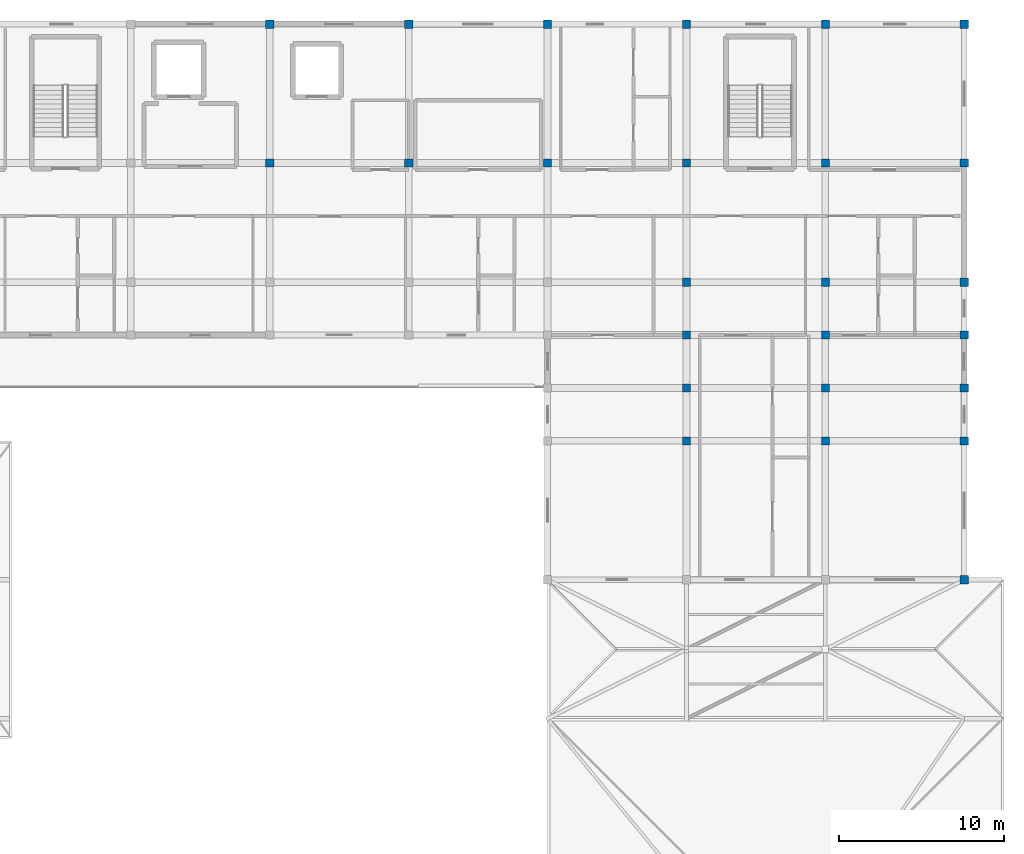
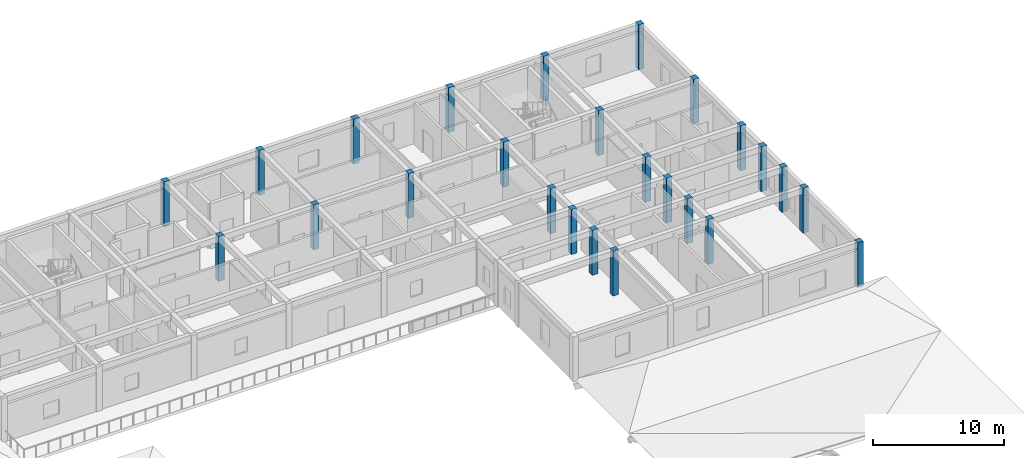
# One storey, part 2 of 26: 25 columns.
"""IFC4 building model written with IfcOpenShell, lengths in metres."""

from ifc_helpers import new_model, si_unit, direction, frame, origin, origin_2d, place, context, subcontext, project, spatial, rectangle, extrude, material, material_profile, profile_set, type_object, element, save


model = new_model("IFC4")

# Units and contexts
model_context = context("Model", 3, precision=1e-05, world=origin(), true_north=direction((0.0, 1.0)))
body_context = subcontext(model_context, "Body", "Model", "MODEL_VIEW")
ifc_project = project(units=[si_unit("LENGTHUNIT", "METRE"), si_unit("AREAUNIT", "SQUARE_METRE"), si_unit("VOLUMEUNIT", "CUBIC_METRE"), si_unit("PLANEANGLEUNIT", "RADIAN"), si_unit("MASSUNIT", "GRAM", prefix="KILO")], contexts=[model_context])

# Site, building, storey
site_placement = place(None, origin())
site = spatial("IfcSite", under=ifc_project, at=site_placement, CompositionType="ELEMENT")
building_placement = place(site_placement, origin())
building = spatial("IfcBuilding", under=site, at=building_placement, Name="Varncliffe General Hospital", CompositionType="ELEMENT")
storey_placement = place(building_placement, frame((0.0, 0.0, 28.800048828125)))
storey = spatial("IfcBuildingStorey", under=building, at=storey_placement, Name="L06", CompositionType="ELEMENT", Elevation=28.800048828125)

# Columns
ifc_material = material(Name="Concrete C40/50 (CSA A23.1 40 MPa)", Category="concrete")
ifc_material_profile_1 = material_profile(ifc_material, rectangle(XDim=0.5, YDim=0.5, at=origin_2d()), Name="RC 500x500")
ifc_profile_set_1 = profile_set([ifc_material_profile_1], Name="Concrete C40/50 (CSA A23.1 40 MPa)")
column_type_1 = type_object("IfcColumnType", Name="Column C65 (Ext RC 500x500)", PredefinedType="COLUMN", material=ifc_profile_set_1)
for number, where, z_axis, x_axis, name in (
    (1, (134.39990234375, 124.800048828125, 0.0), (0.0, 0.0, 1.0), (1.0, 0.0, 0.0), "L06 Column C65"),
    (2, (142.800048828125, 124.800048828125, 0.0), (0.0, 0.0, 1.0), (1.0, 0.0, 0.0), "L06 Column C65"),
    (3, (151.199951171875, 124.800048828125, 0.0), (0.0, 0.0, 1.0), (1.0, 0.0, 0.0), "L06 Column C65"),
    (4, (159.60009765625, 124.800048828125, 0.0), (0.0, 0.0, 1.0), (1.0, 0.0, 0.0), "L06 Column C65"),
    (5, (168.0, 124.800048828125, 0.0), (0.0, 0.0, 1.0), (1.0, 0.0, 0.0), "L06 Column C65"),
    (6, (176.39990234375, 91.199951171875, 0.0), (0.0, 0.0, 1.0), (1.0, 0.0, 0.0), "L06 Column C65"),
    (7, (176.39990234375, 99.60009765625, 0.0), (0.0, 0.0, 1.0), (1.0, 0.0, 0.0), "L06 Column C65"),
    (8, (176.39990234375, 102.800048828125, 0.0), (0.0, 0.0, 1.0), (1.0, 0.0, 0.0), "L06 Column C65"),
    (9, (176.39990234375, 106.0, 0.0), (0.0, 0.0, 1.0), (1.0, 0.0, 0.0), "L06 Column C65"),
    (10, (176.39990234375, 109.199951171875, 0.0), (0.0, 0.0, 1.0), (1.0, 0.0, 0.0), "L06 Column C65"),
    (11, (176.39990234375, 116.39990234375, 0.0), (0.0, 0.0, 1.0), (1.0, 0.0, 0.0), "L06 Column C65"),
    (12, (176.39990234375, 124.800048828125, 0.0), (0.0, 0.0, 1.0), (1.0, 0.0, 0.0), "L06 Column C65"),
):
    element("IfcColumn", number, at=place(storey_placement, frame(where, z_axis=z_axis, x_axis=x_axis)), inside=storey, type_object=column_type_1, Name=name, PredefinedType="COLUMN", context=body_context, shape_type="SweptSolid", body=[
        extrude(rectangle(XDim=0.5, YDim=0.5, at=origin_2d()), origin(), (0.0, 0.0, 1.0), 4.199951171875),
    ])
ifc_material_profile_2 = material_profile(ifc_material, rectangle(XDim=0.5, YDim=0.5, at=origin_2d()), Name="RC 500x500")
ifc_profile_set_2 = profile_set([ifc_material_profile_2], Name="Concrete C40/50 (CSA A23.1 40 MPa)")
column_type_2 = type_object("IfcColumnType", Name="Column C90 (Int RC 500x500)", PredefinedType="COLUMN", material=ifc_profile_set_2)
for number, where, z_axis, x_axis, name in (
    (13, (134.39990234375, 116.39990234375, 0.0), (0.0, 0.0, 1.0), (1.0, 0.0, 0.0), "L06 Column C90"),
    (14, (142.800048828125, 116.39990234375, 0.0), (0.0, 0.0, 1.0), (1.0, 0.0, 0.0), "L06 Column C90"),
    (15, (151.199951171875, 116.39990234375, 0.0), (0.0, 0.0, 1.0), (1.0, 0.0, 0.0), "L06 Column C90"),
    (16, (159.60009765625, 99.60009765625, 0.0), (0.0, 0.0, 1.0), (1.0, 0.0, 0.0), "L06 Column C90"),
    (17, (159.60009765625, 102.800048828125, 0.0), (0.0, 0.0, 1.0), (1.0, 0.0, 0.0), "L06 Column C90"),
    (18, (159.60009765625, 106.0, 0.0), (0.0, 0.0, 1.0), (1.0, 0.0, 0.0), "L06 Column C90"),
    (19, (159.60009765625, 109.199951171875, 0.0), (0.0, 0.0, 1.0), (1.0, 0.0, 0.0), "L06 Column C90"),
    (20, (159.60009765625, 116.39990234375, 0.0), (0.0, 0.0, 1.0), (1.0, 0.0, 0.0), "L06 Column C90"),
    (21, (168.0, 99.60009765625, 0.0), (0.0, 0.0, 1.0), (1.0, 0.0, 0.0), "L06 Column C90"),
    (22, (168.0, 102.800048828125, 0.0), (0.0, 0.0, 1.0), (1.0, 0.0, 0.0), "L06 Column C90"),
    (23, (168.0, 106.0, 0.0), (0.0, 0.0, 1.0), (1.0, 0.0, 0.0), "L06 Column C90"),
    (24, (168.0, 109.199951171875, 0.0), (0.0, 0.0, 1.0), (1.0, 0.0, 0.0), "L06 Column C90"),
    (25, (168.0, 116.39990234375, 0.0), (0.0, 0.0, 1.0), (1.0, 0.0, 0.0), "L06 Column C90"),
):
    element("IfcColumn", number, at=place(storey_placement, frame(where, z_axis=z_axis, x_axis=x_axis)), inside=storey, type_object=column_type_2, Name=name, PredefinedType="COLUMN", context=body_context, shape_type="SweptSolid", body=[
        extrude(rectangle(XDim=0.5, YDim=0.5, at=origin_2d()), origin(), (0.0, 0.0, 1.0), 4.199951171875),
    ])

save(model, "model.ifc")
